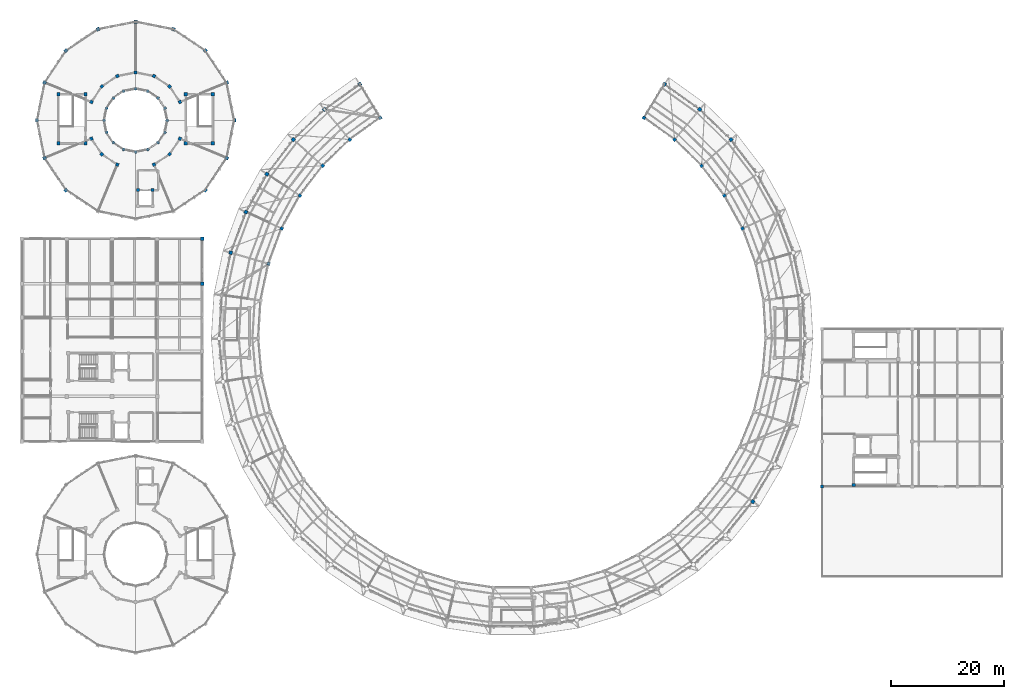
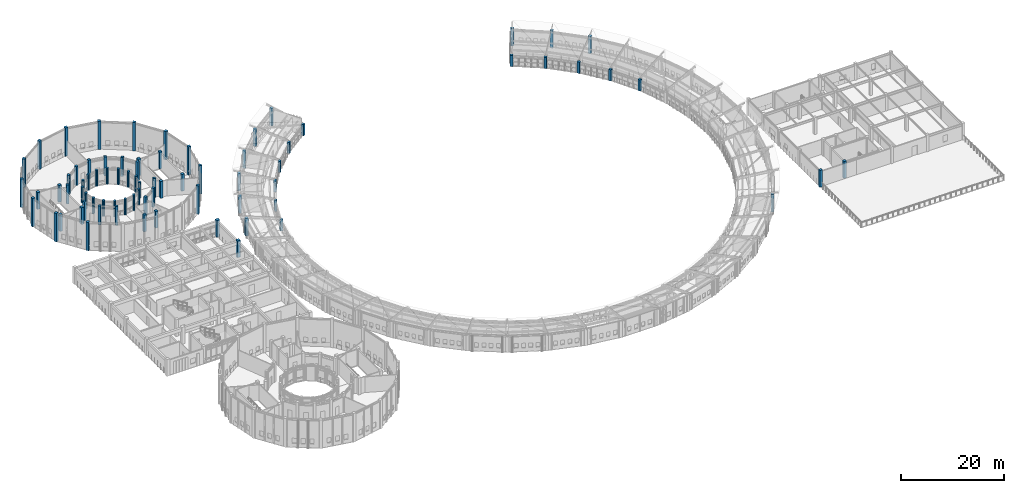
# One storey, part 6 of 149: 77 columns.
"""IFC4 building model written with IfcOpenShell, lengths in metres."""

from ifc_helpers import new_model, si_unit, direction, frame, origin, origin_2d, place, context, subcontext, project, spatial, rectangle, circle, extrude, material, material_profile, profile_set, type_object, element, save


model = new_model("IFC4")

# Units and contexts
model_context = context("Model", 3, precision=1e-05, world=origin(), true_north=direction((0.0, 1.0)))
body_context = subcontext(model_context, "Body", "Model", "MODEL_VIEW")
ifc_project = project(units=[si_unit("LENGTHUNIT", "METRE"), si_unit("AREAUNIT", "SQUARE_METRE"), si_unit("VOLUMEUNIT", "CUBIC_METRE"), si_unit("PLANEANGLEUNIT", "RADIAN"), si_unit("MASSUNIT", "GRAM", prefix="KILO")], contexts=[model_context])

# Site, building, storey
site_placement = place(None, origin())
site = spatial("IfcSite", under=ifc_project, at=site_placement, CompositionType="ELEMENT")
building_placement = place(site_placement, origin())
building = spatial("IfcBuilding", under=site, at=building_placement, Name="Celadon Cloister-Ring School", CompositionType="ELEMENT")
storey_placement = place(building_placement, frame((0.0, 0.0, 12.5)))
storey = spatial("IfcBuildingStorey", under=building, at=storey_placement, Name="L03", CompositionType="ELEMENT", Elevation=12.5)

# Columns
ifc_material_1 = material(Name="Concrete C40/50", Category="concrete")
ifc_material_profile_1 = material_profile(ifc_material_1, rectangle(XDim=0.60009765625, YDim=0.60009765625, at=origin_2d()), Name="RC600X600")
ifc_profile_set_1 = profile_set([ifc_material_profile_1], Name="Concrete C40/50")
column_type_1 = type_object("IfcColumnType", Name="CT-04", PredefinedType="COLUMN", material=ifc_profile_set_1)
for number, where, z_axis, x_axis, name in (
    (1, (6.5, 92.89990234375, 0.0), (0.0, 0.0, 1.0), (1.0, 0.0, 0.0), "Column 0066"),
    (2, (11.300048828125, 92.89990234375, 0.0), (0.0, 0.0, 1.0), (1.0, 0.0, 0.0), "Column 0070"),
    (3, (11.300048828125, 101.6201171875, 0.0), (0.0, 0.0, 1.0), (1.0, 0.0, 0.0), "Column 0074"),
    (4, (6.5, 101.6201171875, 0.0), (0.0, 0.0, 1.0), (1.0, 0.0, 0.0), "Column 0078"),
    (5, (29.10009765625, 92.89990234375, 0.0), (0.0, 0.0, 1.0), (1.0, 0.0, 0.0), "Column 0082"),
    (6, (33.89990234375, 92.89990234375, 0.0), (0.0, 0.0, 1.0), (1.0, 0.0, 0.0), "Column 0086"),
    (7, (33.89990234375, 101.6201171875, 0.0), (0.0, 0.0, 1.0), (1.0, 0.0, 0.0), "Column 0090"),
    (8, (29.10009765625, 101.6201171875, 0.0), (0.0, 0.0, 1.0), (1.0, 0.0, 0.0), "Column 0094"),
    (9, (147.60009765625, 32.300048828125, 0.0), (0.0, 0.0, 1.0), (1.0, 0.0, 0.0), "Column 0098"),
):
    element("IfcColumn", number, at=place(storey_placement, frame(where, z_axis=z_axis, x_axis=x_axis)), inside=storey, type_object=column_type_1, Name=name, PredefinedType="COLUMN", context=body_context, shape_type="SweptSolid", body=[
        extrude(rectangle(XDim=0.60009765625, YDim=0.60009765625, at=origin_2d()), origin(), (0.0, 0.0, 1.0), 4.0),
    ])
ifc_material_2 = material(Name="Concrete C40/50", Category="concrete")
ifc_material_profile_2 = material_profile(ifc_material_2, rectangle(XDim=0.550048828125, YDim=0.550048828125, at=origin_2d()), Name="RC550X550")
ifc_profile_set_2 = profile_set([ifc_material_profile_2], Name="Concrete C40/50")
column_type_2 = type_object("IfcColumnType", Name="CT-05", PredefinedType="COLUMN", material=ifc_profile_set_2)
for number, where, z_axis, x_axis, name in (
    (10, (23.199951171875, 84.60009765625, 0.0), (0.0, 0.0, 1.0), (1.0, 0.0, 0.0), "Column 0287"),
    (11, (20.60009765625, 84.60009765625, 0.0), (0.0, 0.0, 1.0), (1.0, 0.0, 0.0), "Column 0291"),
):
    element("IfcColumn", number, at=place(storey_placement, frame(where, z_axis=z_axis, x_axis=x_axis)), inside=storey, type_object=column_type_2, Name=name, PredefinedType="COLUMN", context=body_context, shape_type="SweptSolid", body=[
        extrude(rectangle(XDim=0.550048828125, YDim=0.550048828125, at=origin_2d()), origin(), (0.0, 0.0, 1.0), 4.0),
    ])
for number, where, z_axis, x_axis, name in (
    (12, (28.052978515625, 100.2529296875, 0.0), (0.0, 0.0, 1.0), (0.923879532511, 0.382683432365, 0.0), "Column 0794"),
    (13, (26.2099609375, 103.010009765625, 0.0), (0.0, 0.0, 1.0), (0.707106781187, 0.707106781187, 0.0), "Column 0798"),
    (14, (23.452880859375, 104.85302734375, 0.0), (0.0, 0.0, 1.0), (0.382683432365, 0.923879532511, 0.0), "Column 0802"),
    (15, (20.199951171875, 105.5, 0.0), (0.0, 0.0, 1.0), (0.0, 1.0, 0.0), "Column 0806"),
    (16, (16.947021484375, 104.85302734375, 0.0), (0.0, 0.0, 1.0), (-0.382683432365, 0.923879532511, 0.0), "Column 0810"),
    (17, (14.18994140625, 103.010009765625, 0.0), (0.0, 0.0, 1.0), (-0.707106781187, 0.707106781187, 0.0), "Column 0814"),
    (18, (12.346923828125, 100.2529296875, 0.0), (0.0, 0.0, 1.0), (-0.923879532511, 0.382683432365, 0.0), "Column 0818"),
    (19, (12.346923828125, 93.7470703125, 0.0), (0.0, 0.0, 1.0), (-0.923879532511, -0.382683432365, 0.0), "Column 0822"),
    (20, (14.18994140625, 90.989990234375, 0.0), (0.0, 0.0, 1.0), (-0.707106781187, -0.707106781187, 0.0), "Column 0826"),
    (21, (16.947021484375, 89.14697265625, 0.0), (0.0, 0.0, 1.0), (-0.382683432365, -0.923879532511, 0.0), "Column 0830"),
    (22, (23.452880859375, 89.14697265625, 0.0), (0.0, 0.0, 1.0), (0.382683432365, -0.923879532511, 0.0), "Column 0834"),
    (23, (26.2099609375, 90.989990234375, 0.0), (0.0, 0.0, 1.0), (0.707106781187, -0.707106781187, 0.0), "Column 0838"),
    (24, (28.052978515625, 93.7470703125, 0.0), (0.0, 0.0, 1.0), (0.923879532511, -0.382683432365, 0.0), "Column 0842"),
):
    element("IfcColumn", number, at=place(storey_placement, frame(where, z_axis=z_axis, x_axis=x_axis)), inside=storey, type_object=column_type_2, Name=name, PredefinedType="COLUMN", context=body_context, shape_type="SweptSolid", body=[
        extrude(rectangle(XDim=0.550048828125, YDim=0.550048828125, at=origin_2d()), origin(), (0.0, 0.0, 1.0), 4.489990234375),
    ])
column_placement = place(storey_placement, frame((142.0, 32.0, 0.0), z_axis=(0.0, 0.0, 1.0), x_axis=(1.0, 0.0, 0.0)))
element("IfcColumn", 25, at=column_placement, inside=storey, type_object=column_type_2, Name="Column 0933", PredefinedType="COLUMN", context=body_context, shape_type="SweptSolid", body=[
    extrude(rectangle(XDim=0.550048828125, YDim=0.550048828125, at=origin_2d()), origin(), (0.0, 0.0, 1.0), 4.0),
])
ifc_material_3 = material(Name="Concrete C40/50", Category="concrete")
ifc_material_profile_3 = material_profile(ifc_material_3, circle(Radius=0.27490234375, at=origin_2d()), Name="CIRC550")
ifc_profile_set_3 = profile_set([ifc_material_profile_3], Name="Concrete C40/50")
column_type_3 = type_object("IfcColumnType", Name="CT-07", PredefinedType="COLUMN", material=ifc_profile_set_3)
for number, where, z_axis, x_axis, name in (
    (26, (25.800048828125, 97.0, 0.0), (0.0, 0.0, 1.0), (1.0, 0.0, 0.0), "Column 0730"),
    (27, (25.3740234375, 99.14306640625, 0.0), (0.0, 0.0, 1.0), (1.0, 0.0, 0.0), "Column 0734"),
    (28, (24.159912109375, 100.9599609375, 0.0), (0.0, 0.0, 1.0), (1.0, 0.0, 0.0), "Column 0738"),
    (29, (22.343017578125, 102.174072265625, 0.0), (0.0, 0.0, 1.0), (1.0, 0.0, 0.0), "Column 0742"),
    (30, (20.199951171875, 102.60009765625, 0.0), (0.0, 0.0, 1.0), (1.0, 0.0, 0.0), "Column 0746"),
    (31, (18.056884765625, 102.174072265625, 0.0), (0.0, 0.0, 1.0), (1.0, 0.0, 0.0), "Column 0750"),
    (32, (16.239990234375, 100.9599609375, 0.0), (0.0, 0.0, 1.0), (1.0, 0.0, 0.0), "Column 0754"),
    (33, (15.02587890625, 99.14306640625, 0.0), (0.0, 0.0, 1.0), (1.0, 0.0, 0.0), "Column 0758"),
    (34, (14.60009765625, 97.0, 0.0), (0.0, 0.0, 1.0), (1.0, 0.0, 0.0), "Column 0762"),
    (35, (15.02587890625, 94.85693359375, 0.0), (0.0, 0.0, 1.0), (1.0, 0.0, 0.0), "Column 0766"),
    (36, (16.239990234375, 93.0400390625, 0.0), (0.0, 0.0, 1.0), (1.0, 0.0, 0.0), "Column 0770"),
    (37, (18.056884765625, 91.825927734375, 0.0), (0.0, 0.0, 1.0), (1.0, 0.0, 0.0), "Column 0774"),
    (38, (20.199951171875, 91.39990234375, 0.0), (0.0, 0.0, 1.0), (1.0, 0.0, 0.0), "Column 0778"),
    (39, (22.343017578125, 91.825927734375, 0.0), (0.0, 0.0, 1.0), (1.0, 0.0, 0.0), "Column 0782"),
    (40, (24.159912109375, 93.0400390625, 0.0), (0.0, 0.0, 1.0), (1.0, 0.0, 0.0), "Column 0786"),
    (41, (25.3740234375, 94.85693359375, 0.0), (0.0, 0.0, 1.0), (1.0, 0.0, 0.0), "Column 0790"),
):
    element("IfcColumn", number, at=place(storey_placement, frame(where, z_axis=z_axis, x_axis=x_axis)), inside=storey, type_object=column_type_3, Name=name, PredefinedType="COLUMN", context=body_context, shape_type="SweptSolid", body=[
        extrude(circle(Radius=0.27490234375, at=origin_2d()), origin(), (0.0, 0.0, 1.0), 3.764892578125),
    ])
ifc_material_4 = material(Name="Concrete C40/50", Category="concrete")
ifc_material_profile_4 = material_profile(ifc_material_4, rectangle(XDim=0.64990234375, YDim=0.64990234375, at=origin_2d()), Name="RC650X650")
ifc_profile_set_4 = profile_set([ifc_material_profile_4], Name="Concrete C40/50")
column_type_4 = type_object("IfcColumnType", Name="CT-22", PredefinedType="COLUMN", material=ifc_profile_set_4)
for number, where, z_axis, x_axis, name in (
    (42, (32.0, 68.0, 0.0), (0.0, 0.0, 1.0), (1.0, 0.0, 0.0), "Column 1171"),
    (43, (32.0, 76.0, 0.0), (0.0, 0.0, 1.0), (1.0, 0.0, 0.0), "Column 1176"),
):
    element("IfcColumn", number, at=place(storey_placement, frame(where, z_axis=z_axis, x_axis=x_axis)), inside=storey, type_object=column_type_4, Name=name, PredefinedType="COLUMN", context=body_context, shape_type="SweptSolid", body=[
        extrude(rectangle(XDim=0.64990234375, YDim=0.64990234375, at=origin_2d()), origin(), (0.0, 0.0, 1.0), 4.0),
    ])
ifc_material_5 = material(Name="Concrete C40/50", Category="concrete")
ifc_material_profile_5 = material_profile(ifc_material_5, rectangle(XDim=0.60009765625, YDim=0.60009765625, at=origin_2d()), Name="RC600X600")
ifc_profile_set_5 = profile_set([ifc_material_profile_5], Name="Concrete C40/50")
column_type_5 = type_object("IfcColumnType", Name="CT-23", PredefinedType="COLUMN", material=ifc_profile_set_5)
for number, where, z_axis, x_axis, name in (
    (44, (59.968994140625, 103.422119140625, 0.0), (0.0, 0.0, 1.0), (-0.519817342621, 0.854277431699, 0.0), "Column 0543"),
    (45, (53.702880859375, 98.94091796875, 0.0), (0.0, 0.0, 1.0), (-0.640324219757, 0.76810474129, 0.0), "Column 0547"),
    (46, (48.16796875, 93.583984375, 0.0), (0.0, 0.0, 1.0), (-0.746777491428, 0.66507396453, 0.0), "Column 0551"),
    (47, (43.48388671875, 87.467041015625, 0.0), (0.0, 0.0, 1.0), (-0.836840759551, 0.547446383817, 0.0), "Column 0555"),
    (48, (39.756103515625, 80.72607421875, 0.0), (0.0, 0.0, 1.0), (-0.908537347938, 0.417803646947, 0.0), "Column 0559"),
    (49, (37.06494140625, 73.508056640625, 0.0), (0.0, 0.0, 1.0), (-0.960293685677, 0.278991106039, 0.0), "Column 0563"),
    (50, (129.7119140625, 29.341064453125, 0.0), (0.0, 0.0, 1.0), (0.821388197028, -0.57036955545, 0.0), "Column 0631"),
    (51, (125.83203125, 93.583984375, 0.0), (0.0, 0.0, 1.0), (0.746777491428, 0.66507396453, 0.0), "Column 0667"),
    (52, (120.297119140625, 98.94091796875, 0.0), (0.0, 0.0, 1.0), (0.640324219757, 0.76810474129, 0.0), "Column 0671"),
    (53, (114.031005859375, 103.422119140625, 0.0), (0.0, 0.0, 1.0), (0.519817342621, 0.854277431699, 0.0), "Column 0675"),
):
    element("IfcColumn", number, at=place(storey_placement, frame(where, z_axis=z_axis, x_axis=x_axis)), inside=storey, type_object=column_type_5, Name=name, PredefinedType="COLUMN", context=body_context, shape_type="SweptSolid", body=[
        extrude(rectangle(XDim=0.60009765625, YDim=0.60009765625, at=origin_2d()), origin(), (0.0, 0.0, 1.0), 4.159912109375),
    ])
for number, where, z_axis, x_axis, name in (
    (54, (37.699951171875, 97.0, 0.0), (0.0, 0.0, 1.0), (1.0, 0.0, 0.0), "Column 0846"),
    (55, (36.367919921875, 103.697021484375, 0.0), (0.0, 0.0, 1.0), (0.923879532511, 0.382683432365, 0.0), "Column 0850"),
    (56, (32.573974609375, 109.3740234375, 0.0), (0.0, 0.0, 1.0), (0.707106781187, 0.707106781187, 0.0), "Column 0854"),
    (57, (26.89697265625, 113.16796875, 0.0), (0.0, 0.0, 1.0), (0.382683432365, 0.923879532511, 0.0), "Column 0858"),
    (58, (20.199951171875, 114.5, 0.0), (0.0, 0.0, 1.0), (0.0, 1.0, 0.0), "Column 0862"),
    (59, (13.5029296875, 113.16796875, 0.0), (0.0, 0.0, 1.0), (-0.382683432365, 0.923879532511, 0.0), "Column 0866"),
    (60, (7.825927734375, 109.3740234375, 0.0), (0.0, 0.0, 1.0), (-0.707106781187, 0.707106781187, 0.0), "Column 0870"),
    (61, (4.031982421875, 103.697021484375, 0.0), (0.0, 0.0, 1.0), (-0.923879532511, 0.382683432365, 0.0), "Column 0874"),
    (62, (2.699951171875, 97.0, 0.0), (0.0, 0.0, 1.0), (-1.0, 0.0, 0.0), "Column 0878"),
    (63, (4.031982421875, 90.302978515625, 0.0), (0.0, 0.0, 1.0), (-0.923879532511, -0.382683432365, 0.0), "Column 0882"),
    (64, (7.825927734375, 84.6259765625, 0.0), (0.0, 0.0, 1.0), (-0.707106781187, -0.707106781187, 0.0), "Column 0886"),
    (65, (32.573974609375, 84.6259765625, 0.0), (0.0, 0.0, 1.0), (0.707106781187, -0.707106781187, 0.0), "Column 0902"),
    (66, (36.367919921875, 90.302978515625, 0.0), (0.0, 0.0, 1.0), (0.923879532511, -0.382683432365, 0.0), "Column 0906"),
):
    element("IfcColumn", number, at=place(storey_placement, frame(where, z_axis=z_axis, x_axis=x_axis)), inside=storey, type_object=column_type_5, Name=name, PredefinedType="COLUMN", context=body_context, shape_type="SweptSolid", body=[
        extrude(rectangle(XDim=0.60009765625, YDim=0.60009765625, at=origin_2d()), origin(), (0.0, 0.0, 1.0), 6.739990234375),
    ])
ifc_material_6 = material(Name="Concrete C40/50", Category="concrete")
ifc_material_profile_6 = material_profile(ifc_material_6, rectangle(XDim=0.550048828125, YDim=0.550048828125, at=origin_2d()), Name="RC550X550")
ifc_profile_set_6 = profile_set([ifc_material_profile_6], Name="Concrete C40/50")
column_type_6 = type_object("IfcColumnType", Name="CT-24", PredefinedType="COLUMN", material=ifc_profile_set_6)
for number, where, z_axis, x_axis, name in (
    (67, (63.60791015625, 97.44189453125, 0.0), (0.0, 0.0, 1.0), (-0.519817342621, 0.854277431699, 0.0), "Column 0399"),
    (68, (58.18505859375, 93.56494140625, 0.0), (0.0, 0.0, 1.0), (-0.640324219757, 0.76810474129, 0.0), "Column 0403"),
    (69, (53.39501953125, 88.927978515625, 0.0), (0.0, 0.0, 1.0), (-0.746777491428, 0.66507396453, 0.0), "Column 0407"),
    (70, (49.342041015625, 83.635009765625, 0.0), (0.0, 0.0, 1.0), (-0.836840759551, 0.547446383817, 0.0), "Column 0411"),
    (71, (46.115966796875, 77.801025390625, 0.0), (0.0, 0.0, 1.0), (-0.908537347938, 0.417803646947, 0.0), "Column 0415"),
    (72, (43.787109375, 71.554931640625, 0.0), (0.0, 0.0, 1.0), (-0.960293685677, 0.278991106039, 0.0), "Column 0419"),
    (73, (127.884033203125, 77.801025390625, 0.0), (0.0, 0.0, 1.0), (0.908537347938, 0.417803646947, 0.0), "Column 0523"),
    (74, (124.657958984375, 83.635009765625, 0.0), (0.0, 0.0, 1.0), (0.836840759551, 0.547446383817, 0.0), "Column 0527"),
    (75, (120.60498046875, 88.927978515625, 0.0), (0.0, 0.0, 1.0), (0.746777491428, 0.66507396453, 0.0), "Column 0531"),
    (76, (115.81494140625, 93.56494140625, 0.0), (0.0, 0.0, 1.0), (0.640324219757, 0.76810474129, 0.0), "Column 0535"),
    (77, (110.39208984375, 97.44189453125, 0.0), (0.0, 0.0, 1.0), (0.519817342621, 0.854277431699, 0.0), "Column 0539"),
):
    element("IfcColumn", number, at=place(storey_placement, frame(where, z_axis=z_axis, x_axis=x_axis)), inside=storey, type_object=column_type_6, Name=name, PredefinedType="COLUMN", context=body_context, shape_type="SweptSolid", body=[
        extrude(rectangle(XDim=0.550048828125, YDim=0.550048828125, at=origin_2d()), origin(), (0.0, 0.0, 1.0), 2.639892578125),
    ])

save(model, "model.ifc")
